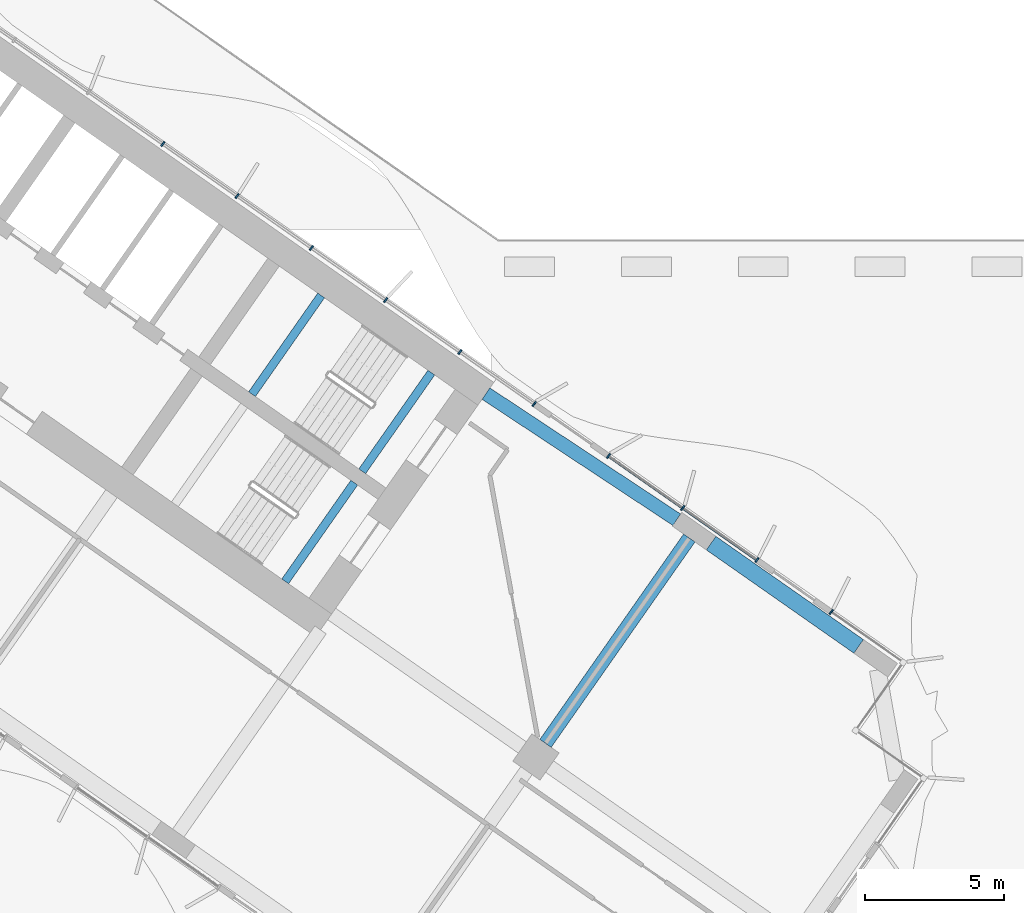
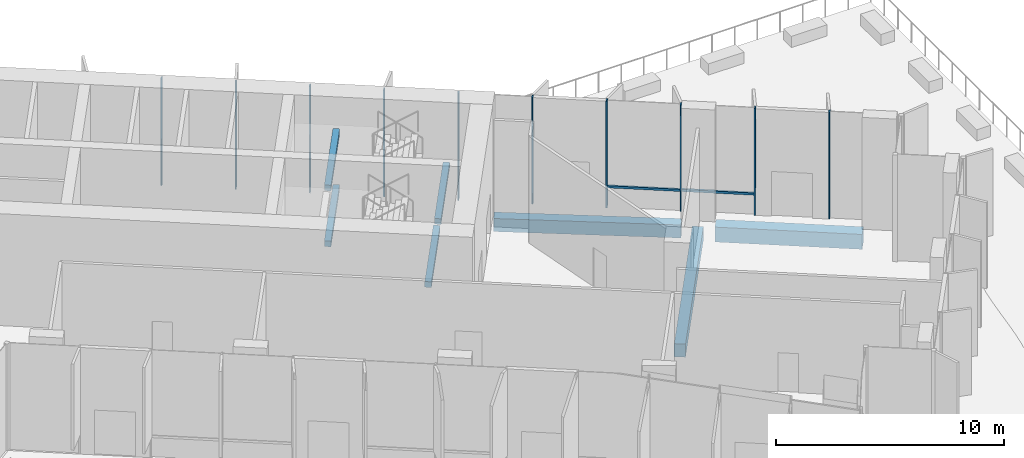
# One storey, part 12 of 27: 11 members, 7 beams, 5 elements without a shape of their own.
"""IFC4 building model written with IfcOpenShell, lengths in metres."""

from ifc_helpers import new_model, si_unit, direction, frame, origin, origin_2d, place, context, subcontext, project, spatial, rectangle, extrude, material, material_profile, profile_set, type_object, element, aggregate, save


model = new_model("IFC4")

# Units and contexts
model_context = context("Model", 3, precision=1e-05, world=origin(), true_north=direction((0.0, 1.0)))
body_context = subcontext(model_context, "Body", "Model", "MODEL_VIEW")
ifc_project = project(units=[si_unit("LENGTHUNIT", "METRE"), si_unit("AREAUNIT", "SQUARE_METRE"), si_unit("VOLUMEUNIT", "CUBIC_METRE"), si_unit("PLANEANGLEUNIT", "RADIAN"), si_unit("MASSUNIT", "GRAM", prefix="KILO")], contexts=[model_context])

# Site, building, storey
site_placement = place(None, origin())
site = spatial("IfcSite", under=ifc_project, at=site_placement, CompositionType="ELEMENT")
building_placement = place(site_placement, origin())
building = spatial("IfcBuilding", under=site, at=building_placement, Name="Tel Ilan Convention Tower", CompositionType="ELEMENT")
storey_placement = place(building_placement, frame((0.0, 0.0, 48.5)))
storey = spatial("IfcBuildingStorey", under=building, at=storey_placement, Name="L07", CompositionType="ELEMENT", Elevation=48.5)

# Beams
ifc_material_1 = material(Name="Concrete C40/50", Category="concrete")
ifc_material_profile_1 = material_profile(ifc_material_1, rectangle(XDim=0.5, YDim=0.699951171875, at=origin_2d()), Name="RC 500x700")
ifc_profile_set_1 = profile_set([ifc_material_profile_1], Name="Concrete C40/50")
beam_type_1 = type_object("IfcBeamType", Name="Beam RC 500x700 Concrete C40/50", PredefinedType="BEAM", material=ifc_profile_set_1)
beam_1_placement = place(storey_placement, frame((34.570556640625, -12.08447265625, -0.6298828125), z_axis=(-0.834273603487, 0.551350663847, 0.0), x_axis=(-0.551350663847, -0.834273603487, 0.0)))
element("IfcBeam", 1, at=beam_1_placement, inside=storey, type_object=beam_type_1, Name="L07 beam E-E-B4-core", PredefinedType="BEAM", context=body_context, shape_type="SweptSolid", body=[
    extrude(rectangle(XDim=0.5, YDim=0.699951171875, at=origin_2d()), origin(), (0.0, 0.0, 1.0), 8.2529296875),
])
beam_2_placement = place(storey_placement, frame((29.83349609375, -20.1572265625, -0.6298828125), z_axis=(0.57358002233, 0.819149533348, 0.0), x_axis=(-0.819149533348, 0.57358002233, 0.0)))
element("IfcBeam", 2, at=beam_2_placement, inside=storey, type_object=beam_type_1, Name="L07 beam E-E-M4-E-B4", PredefinedType="BEAM", context=body_context, shape_type="SweptSolid", body=[
    extrude(rectangle(XDim=0.5, YDim=0.699951171875, at=origin_2d()), origin(), (0.0, 0.0, 1.0), 9.050048828125),
])
ifc_material_2 = material(Name="Concrete C40/50", Category="concrete")
ifc_material_profile_2 = material_profile(ifc_material_2, rectangle(XDim=0.60009765625, YDim=0.800048828125, at=origin_2d()), Name="RC 600x800")
ifc_profile_set_2 = profile_set([ifc_material_profile_2], Name="Concrete C40/50")
beam_type_2 = type_object("IfcBeamType", Name="Beam RC 600x800 Concrete C40/50", PredefinedType="BEAM", material=ifc_profile_set_2)
beam_3_placement = place(storey_placement, frame((41.135498046875, -16.656494140625, -0.679931640625), z_axis=(-0.819178980414, 0.573537965655, 0.0), x_axis=(-0.573537965655, -0.819178980414, 0.0)))
element("IfcBeam", 3, at=beam_3_placement, inside=storey, type_object=beam_type_2, Name="L07 beam E-E-BC-E-B4", PredefinedType="BEAM", context=body_context, shape_type="SweptSolid", body=[
    extrude(rectangle(XDim=0.60009765625, YDim=0.800048828125, at=origin_2d()), origin(), (0.0, 0.0, 1.0), 6.5),
])

# Curtain wall, member
ifc_material_3 = material(Name="Aluminium, bronze anodised", Category="aluminium")
curtain_wall_type_1 = type_object("IfcCurtainWallType", Name="CW1 UNITISED CURTAIN WALL, HOTEL TINTED GLASS", PredefinedType="NOTDEFINED", material=ifc_material_3)
curtain_wall_1_placement = place(storey_placement, origin())
curtain_wall_1 = element("IfcCurtainWall", 4, at=curtain_wall_1_placement, inside=storey, type_object=curtain_wall_type_1, Name="Curtain wall CW1-10.20", PredefinedType="NOTDEFINED")
ifc_material_4 = material(Name="Aluminium, bronze anodised", Category="aluminium")
ifc_material_profile_3 = material_profile(ifc_material_4, rectangle(XDim=0.06005859375, YDim=0.199951171875, at=origin_2d()), Name="CW MULLION 60x200")
ifc_profile_set_3 = profile_set([ifc_material_profile_3], Name="Aluminium, bronze anodised")
member_type_1 = type_object("IfcMemberType", Name="CW MULLION 60x200", PredefinedType="MULLION", material=ifc_profile_set_3)
member_1_placement = place(storey_placement, frame((40.146728515625, -15.4150390625, 0.0), z_axis=(0.0, 0.0, 1.0), x_axis=(-0.819152044289, 0.573576436351, 0.0)))
member_1 = element("IfcMember", 5, at=member_1_placement, type_object=member_type_1, Name="Mullion", PredefinedType="MULLION", context=body_context, shape_type="SweptSolid", body=[
    extrude(rectangle(XDim=0.06005859375, YDim=0.199951171875, at=origin_2d()), origin(), (0.0, 0.0, 1.0), 5.719970703125),
])
aggregate(curtain_wall_1, [member_1])

curtain_wall_2_placement = place(storey_placement, origin())
curtain_wall_2 = element("IfcCurtainWall", 6, at=curtain_wall_2_placement, inside=storey, type_object=curtain_wall_type_1, Name="Curtain wall CW1-10.21", PredefinedType="NOTDEFINED")
member_2_placement = place(storey_placement, frame((37.466552734375, -13.538330078125, 0.0), z_axis=(0.0, 0.0, 1.0), x_axis=(-0.819152044289, 0.573576436351, 0.0)))
member_2 = element("IfcMember", 7, at=member_2_placement, type_object=member_type_1, Name="Mullion", PredefinedType="MULLION", context=body_context, shape_type="SweptSolid", body=[
    extrude(rectangle(XDim=0.06005859375, YDim=0.199951171875, at=origin_2d()), origin(), (0.0, 0.0, 1.0), 5.719970703125),
])
aggregate(curtain_wall_2, [member_2])

# Curtain wall, members
curtain_wall_3_placement = place(storey_placement, origin())
curtain_wall_3 = element("IfcCurtainWall", 8, at=curtain_wall_3_placement, inside=storey, type_object=curtain_wall_type_1, Name="Curtain wall CW1-10.22", PredefinedType="NOTDEFINED")
member_3_placement = place(storey_placement, frame((34.7861328125, -11.66162109375, 0.0), z_axis=(0.0, 0.0, 1.0), x_axis=(-0.819152044289, 0.573576436351, 0.0)))
member_3 = element("IfcMember", 9, at=member_3_placement, type_object=member_type_1, Name="Mullion", PredefinedType="MULLION", context=body_context, shape_type="SweptSolid", body=[
    extrude(rectangle(XDim=0.06005859375, YDim=0.199951171875, at=origin_2d()), origin(), (0.0, 0.0, 1.0), 5.719970703125),
])
member_4_placement = place(storey_placement, frame((32.10595703125, -9.78466796875, 0.0), z_axis=(0.0, 0.0, 1.0), x_axis=(-0.819152044289, 0.573576436351, 0.0)))
member_4 = element("IfcMember", 10, at=member_4_placement, type_object=member_type_1, Name="Mullion", PredefinedType="MULLION", context=body_context, shape_type="SweptSolid", body=[
    extrude(rectangle(XDim=0.06005859375, YDim=0.199951171875, at=origin_2d()), origin(), (0.0, 0.0, 1.0), 5.719970703125),
])

# Curtain wall, member
curtain_wall_4_placement = place(storey_placement, origin())
curtain_wall_4 = element("IfcCurtainWall", 11, at=curtain_wall_4_placement, inside=storey, type_object=curtain_wall_type_1, Name="Curtain wall CW1-10.23", PredefinedType="NOTDEFINED")
member_5_placement = place(storey_placement, frame((29.42578125, -7.907958984375, 0.0), z_axis=(0.0, 0.0, 1.0), x_axis=(-0.819152044289, 0.573576436351, 0.0)))
member_5 = element("IfcMember", 12, at=member_5_placement, type_object=member_type_1, Name="Mullion", PredefinedType="MULLION", context=body_context, shape_type="SweptSolid", body=[
    extrude(rectangle(XDim=0.06005859375, YDim=0.199951171875, at=origin_2d()), origin(), (0.0, 0.0, 1.0), 5.719970703125),
])
aggregate(curtain_wall_4, [member_5])

# Curtain wall, members
ifc_material_5 = material(Name="Aluminium, bronze anodised", Category="aluminium")
curtain_wall_type_2 = type_object("IfcCurtainWallType", Name="CW2 STICK CURTAIN WALL, SPANDREL PANELS", PredefinedType="NOTDEFINED", material=ifc_material_5)
curtain_wall_5_placement = place(storey_placement, origin())
curtain_wall_5 = element("IfcCurtainWall", 13, at=curtain_wall_5_placement, inside=storey, type_object=curtain_wall_type_2, Name="Curtain wall CW2-10.24", PredefinedType="NOTDEFINED")
member_6_placement = place(storey_placement, frame((26.745361328125, -6.03125, 0.0), z_axis=(0.0, 0.0, 1.0), x_axis=(-0.819152044289, 0.573576436351, 0.0)))
member_6 = element("IfcMember", 14, at=member_6_placement, type_object=member_type_1, Name="Mullion", PredefinedType="MULLION", context=body_context, shape_type="SweptSolid", body=[
    extrude(rectangle(XDim=0.06005859375, YDim=0.199951171875, at=origin_2d()), origin(), (0.0, 0.0, 1.0), 5.719970703125),
])
member_7_placement = place(storey_placement, frame((24.065185546875, -4.154541015625, 0.0), z_axis=(0.0, 0.0, 1.0), x_axis=(-0.819152044289, 0.573576436351, 0.0)))
member_7 = element("IfcMember", 15, at=member_7_placement, type_object=member_type_1, Name="Mullion", PredefinedType="MULLION", context=body_context, shape_type="SweptSolid", body=[
    extrude(rectangle(XDim=0.06005859375, YDim=0.199951171875, at=origin_2d()), origin(), (0.0, 0.0, 1.0), 5.719970703125),
])
member_8_placement = place(storey_placement, frame((21.384765625, -2.27783203125, 0.0), z_axis=(0.0, 0.0, 1.0), x_axis=(-0.819152044289, 0.573576436351, 0.0)))
member_8 = element("IfcMember", 16, at=member_8_placement, type_object=member_type_1, Name="Mullion", PredefinedType="MULLION", context=body_context, shape_type="SweptSolid", body=[
    extrude(rectangle(XDim=0.06005859375, YDim=0.199951171875, at=origin_2d()), origin(), (0.0, 0.0, 1.0), 5.719970703125),
])
member_9_placement = place(storey_placement, frame((18.70458984375, -0.401123046875, 0.0), z_axis=(0.0, 0.0, 1.0), x_axis=(-0.819152044289, 0.573576436351, 0.0)))
member_9 = element("IfcMember", 17, at=member_9_placement, type_object=member_type_1, Name="Mullion", PredefinedType="MULLION", context=body_context, shape_type="SweptSolid", body=[
    extrude(rectangle(XDim=0.06005859375, YDim=0.199951171875, at=origin_2d()), origin(), (0.0, 0.0, 1.0), 5.719970703125),
])
member_10_placement = place(storey_placement, frame((16.024169921875, 1.475830078125, 0.0), z_axis=(0.0, 0.0, 1.0), x_axis=(-0.819152044289, 0.573576436351, 0.0)))
member_10 = element("IfcMember", 18, at=member_10_placement, type_object=member_type_1, Name="Mullion", PredefinedType="MULLION", context=body_context, shape_type="SweptSolid", body=[
    extrude(rectangle(XDim=0.06005859375, YDim=0.199951171875, at=origin_2d()), origin(), (0.0, 0.0, 1.0), 5.719970703125),
])
aggregate(curtain_wall_5, [member_6, member_7, member_8, member_9, member_10])

# Member
ifc_material_6 = material(Name="Aluminium, bronze anodised", Category="aluminium")
ifc_material_profile_4 = material_profile(ifc_material_6, rectangle(XDim=0.10009765625, YDim=0.1201171875, at=origin_2d()), Name="CW TRANSOM 100x120")
ifc_profile_set_4 = profile_set([ifc_material_profile_4], Name="Aluminium, bronze anodised")
member_type_2 = type_object("IfcMemberType", Name="CW TRANSOM 100x120", PredefinedType="USERDEFINED", material=ifc_profile_set_4)
member_11_placement = place(storey_placement, frame((37.44189453125, -13.52099609375, 1.10009765625), z_axis=(-0.819152309549, 0.57357605752, 0.0), x_axis=(-0.57357605752, -0.819152309549, 0.0)))
member_11 = element("IfcMember", 19, at=member_11_placement, type_object=member_type_2, Name="Transom", ObjectType="TRANSOM", PredefinedType="USERDEFINED", context=body_context, shape_type="SweptSolid", body=[
    extrude(rectangle(XDim=0.10009765625, YDim=0.1201171875, at=origin_2d()), origin(), (0.0, 0.0, 1.0), 6.48388671875),
])

aggregate(curtain_wall_3, [member_3, member_4, member_11])

# Beams
ifc_material_7 = material(Name="Concrete C40/50", Category="concrete")
ifc_material_profile_5 = material_profile(ifc_material_7, rectangle(XDim=0.300048828125, YDim=0.300048828125, at=origin_2d()), Name="RC 300x300")
ifc_profile_set_5 = profile_set([ifc_material_profile_5], Name="Concrete C40/50")
beam_type_3 = type_object("IfcBeamType", Name="Landing Beam RC 300x300 Concrete C40/50", PredefinedType="BEAM", material=ifc_profile_set_5)
beam_4_placement = place(storey_placement, frame((21.738037109375, -3.989990234375, 1.14990234375), z_axis=(-0.57356780395, -0.819158088694, 0.0), x_axis=(0.819158088694, -0.57356780395, 0.0)))
element("IfcBeam", 20, at=beam_4_placement, inside=storey, type_object=beam_type_3, Name="S3 landing beam L07.1", PredefinedType="BEAM", context=body_context, shape_type="SweptSolid", body=[
    extrude(rectangle(XDim=0.300048828125, YDim=0.300048828125, at=origin_2d()), origin(), (0.0, 0.0, 1.0), 4.35009765625),
])
beam_5_placement = place(storey_placement, frame((25.71435546875, -6.7744140625, 2.64990234375), z_axis=(-0.573556512523, -0.819165994742, 0.0), x_axis=(0.819165994742, -0.573556512523, 0.0)))
element("IfcBeam", 21, at=beam_5_placement, inside=storey, type_object=beam_type_3, Name="S3 landing beam L07.2", PredefinedType="BEAM", context=body_context, shape_type="SweptSolid", body=[
    extrude(rectangle(XDim=0.300048828125, YDim=0.300048828125, at=origin_2d()), origin(), (0.0, 0.0, 1.0), 4.349853515625),
])
beam_6_placement = place(storey_placement, frame((21.738037109375, -3.989990234375, 4.14990234375), z_axis=(-0.57356780395, -0.819158088694, 0.0), x_axis=(0.819158088694, -0.57356780395, 0.0)))
element("IfcBeam", 22, at=beam_6_placement, inside=storey, type_object=beam_type_3, Name="S3 landing beam L07.3", PredefinedType="BEAM", context=body_context, shape_type="SweptSolid", body=[
    extrude(rectangle(XDim=0.300048828125, YDim=0.300048828125, at=origin_2d()), origin(), (0.0, 0.0, 1.0), 4.35009765625),
])
beam_7_placement = place(storey_placement, frame((22.9326171875, -10.747314453125, 2.64990234375), z_axis=(-0.573594173421, -0.819139624372, 0.0), x_axis=(0.819139624372, -0.573594173421, 0.0)))
element("IfcBeam", 23, at=beam_7_placement, inside=storey, type_object=beam_type_3, Name="S4 landing beam L07.2", PredefinedType="BEAM", context=body_context, shape_type="SweptSolid", body=[
    extrude(rectangle(XDim=0.300048828125, YDim=0.300048828125, at=origin_2d()), origin(), (0.0, 0.0, 1.0), 4.349853515625),
])

save(model, "model.ifc")
